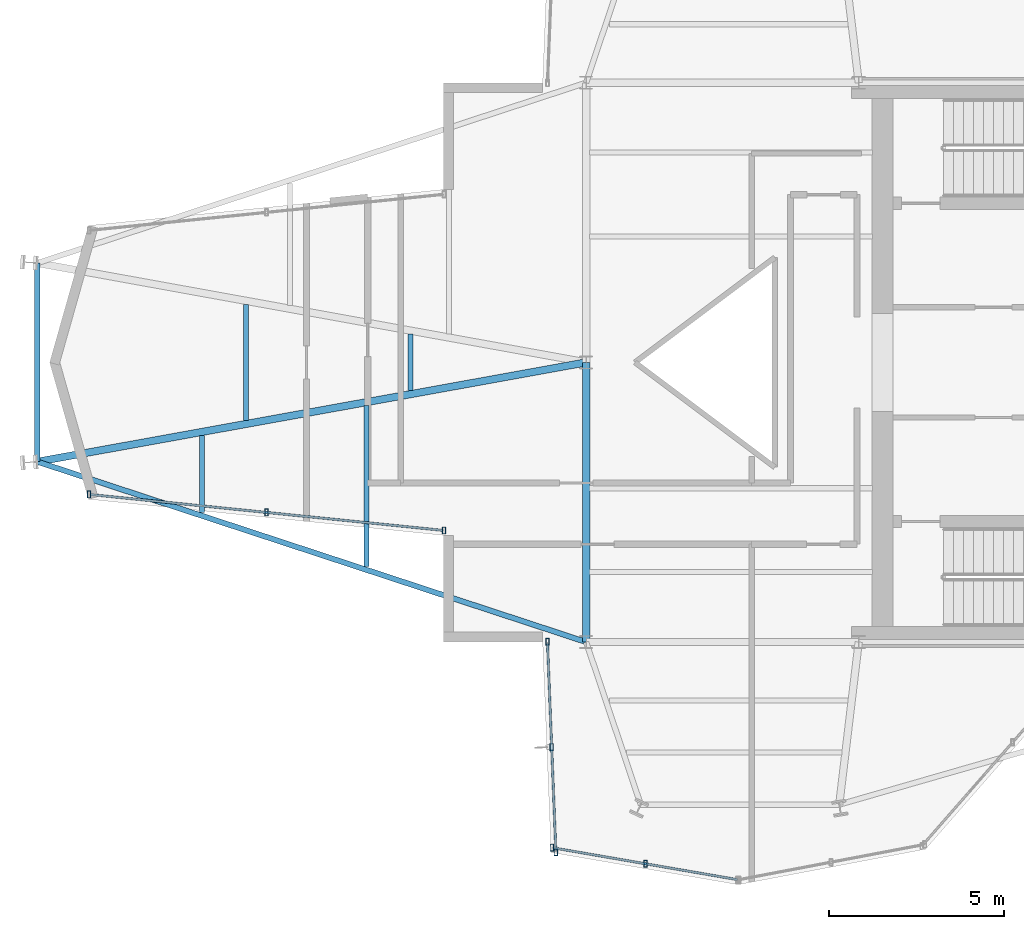
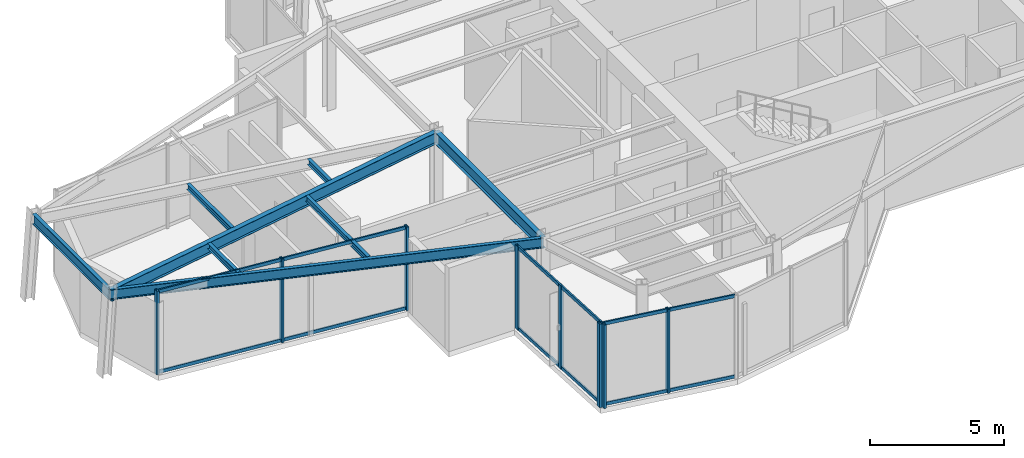
# One storey, part 2 of 13: 14 members, 8 beams, 3 elements without a shape of their own.
"""IFC4 building model written with IfcOpenShell, lengths in metres."""

from ifc_helpers import new_model, si_unit, direction, frame, origin, origin_2d, place, context, subcontext, project, spatial, hollow_rectangle, i_section, extrude, material, layer, layer_set, material_profile, profile_set, type_object, element, aggregate, save


model = new_model("IFC4")

# Units and contexts
model_context = context("Model", 3, precision=1e-05, world=origin(), true_north=direction((0.0, 1.0)))
body_context = subcontext(model_context, "Body", "Model", "MODEL_VIEW")
ifc_project = project(units=[si_unit("LENGTHUNIT", "METRE"), si_unit("AREAUNIT", "SQUARE_METRE"), si_unit("VOLUMEUNIT", "CUBIC_METRE"), si_unit("PLANEANGLEUNIT", "RADIAN"), si_unit("MASSUNIT", "GRAM", prefix="KILO")], contexts=[model_context])

# Site, building, storey
site_placement = place(None, origin())
site = spatial("IfcSite", under=ifc_project, at=site_placement, CompositionType="ELEMENT")
building_placement = place(site_placement, origin())
building = spatial("IfcBuilding", under=site, at=building_placement, Name="Veymaron Broadcast Tower", CompositionType="ELEMENT")
storey_placement = place(building_placement, frame((0.0, 0.0, 274.949951171875)))
storey = spatial("IfcBuildingStorey", under=building, at=storey_placement, Name="L64", CompositionType="ELEMENT", Elevation=274.949951171875)

# Beams
ifc_material_1 = material(Name="Structural steel ASTM A992 Gr 50", Category="steel")
ifc_material_profile_1 = material_profile(ifc_material_1, i_section(OverallWidth=0.208984375, OverallDepth=0.528076171875, WebThickness=0.009521484375, FlangeThickness=0.01318359375, at=origin_2d()), Name="W530X82")
ifc_profile_set_1 = profile_set([ifc_material_profile_1], Name="Structural steel ASTM A992 Gr 50")
beam_type_1 = type_object("IfcBeamType", Name="BM-FG4", PredefinedType="BEAM", material=ifc_profile_set_1)
beam_1_placement = place(storey_placement, frame((31.199951171875, 16.0, 3.546142578125), z_axis=(0.0, 1.0, 0.0), x_axis=(-1.0, 0.0, 0.0)))
element("IfcBeam", 1, at=beam_1_placement, inside=storey, type_object=beam_type_1, Name="L64 primary structural floor girder", PredefinedType="BEAM", context=body_context, shape_type="SweptSolid", body=[
    extrude(i_section(OverallWidth=0.208984375, OverallDepth=0.528076171875, WebThickness=0.009521484375, FlangeThickness=0.01318359375, at=origin_2d()), origin(), (0.0, 0.0, 1.0), 8.0),
])
beam_2_placement = place(storey_placement, frame((15.50048828125, 21.157958984375, 3.546142578125), z_axis=(0.984006484813, 0.178132641159, 0.0), x_axis=(-0.178132641159, 0.984006484813, 0.0)))
element("IfcBeam", 2, at=beam_2_placement, inside=storey, type_object=beam_type_1, Name="L64 primary structural floor girder", PredefinedType="BEAM", context=body_context, shape_type="SweptSolid", body=[
    extrude(i_section(OverallWidth=0.208984375, OverallDepth=0.528076171875, WebThickness=0.009521484375, FlangeThickness=0.01318359375, at=origin_2d()), origin(), (0.0, 0.0, 1.0), 15.95458984375),
])
ifc_material_profile_2 = material_profile(ifc_material_1, i_section(OverallWidth=0.14599609375, OverallDepth=0.258056640625, WebThickness=0.006103515625, FlangeThickness=0.009033203125, at=origin_2d()), Name="W250X33")
ifc_profile_set_2 = profile_set([ifc_material_profile_2], Name="Structural steel ASTM A992 Gr 50")
beam_type_2 = type_object("IfcBeamType", Name="BM-JS4", PredefinedType="JOIST", material=ifc_profile_set_2)
beam_3_placement = place(storey_placement, frame((20.210205078125, 19.710693359375, 3.68115234375), z_axis=(0.0, 1.0, 0.0), x_axis=(-1.0, 0.0, 0.0)))
element("IfcBeam", 3, at=beam_3_placement, inside=storey, type_object=beam_type_2, Name="L64 Arm-A secondary joist 1S", PredefinedType="JOIST", context=body_context, shape_type="SweptSolid", body=[
    extrude(i_section(OverallWidth=0.14599609375, OverallDepth=0.258056640625, WebThickness=0.006103515625, FlangeThickness=0.009033203125, at=origin_2d()), origin(), (0.0, 0.0, 1.0), 2.199951171875),
])
beam_4_placement = place(storey_placement, frame((21.46630859375, 22.337890625, 3.68115234375), z_axis=(0.0, 1.0, 0.0), x_axis=(-1.0, 0.0, 0.0)))
element("IfcBeam", 4, at=beam_4_placement, inside=storey, type_object=beam_type_2, Name="L64 Arm-A secondary joist 1M", PredefinedType="JOIST", context=body_context, shape_type="SweptSolid", body=[
    extrude(i_section(OverallWidth=0.14599609375, OverallDepth=0.258056640625, WebThickness=0.006103515625, FlangeThickness=0.009033203125, at=origin_2d()), origin(), (0.0, 0.0, 1.0), 3.32421875),
])
beam_5_placement = place(storey_placement, frame((24.920166015625, 18.1630859375, 3.68115234375), z_axis=(0.0, 1.0, 0.0), x_axis=(-1.0, 0.0, 0.0)))
element("IfcBeam", 5, at=beam_5_placement, inside=storey, type_object=beam_type_2, Name="L64 Arm-A secondary joist 2S", PredefinedType="JOIST", context=body_context, shape_type="SweptSolid", body=[
    extrude(i_section(OverallWidth=0.14599609375, OverallDepth=0.258056640625, WebThickness=0.006103515625, FlangeThickness=0.009033203125, at=origin_2d()), origin(), (0.0, 0.0, 1.0), 4.60009765625),
])
beam_6_placement = place(storey_placement, frame((26.176025390625, 23.190673828125, 3.68115234375), z_axis=(0.0, 1.0, 0.0), x_axis=(-1.0, 0.0, 0.0)))
element("IfcBeam", 6, at=beam_6_placement, inside=storey, type_object=beam_type_2, Name="L64 Arm-A secondary joist 2M", PredefinedType="JOIST", context=body_context, shape_type="SweptSolid", body=[
    extrude(i_section(OverallWidth=0.14599609375, OverallDepth=0.258056640625, WebThickness=0.006103515625, FlangeThickness=0.009033203125, at=origin_2d()), origin(), (0.0, 0.0, 1.0), 1.61865234375),
])
ifc_material_profile_3 = material_profile(ifc_material_1, i_section(OverallWidth=0.154052734375, OverallDepth=0.458984375, WebThickness=0.009033203125, FlangeThickness=0.015380859375, at=origin_2d()), Name="W460X68")
ifc_profile_set_3 = profile_set([ifc_material_profile_3], Name="Structural steel ASTM A992 Gr 50")
beam_type_3 = type_object("IfcBeamType", Name="BM-SP2", PredefinedType="SPANDREL", material=ifc_profile_set_3)
beam_7_placement = place(storey_placement, frame((15.50048828125, 21.157958984375, 3.58056640625), z_axis=(0.950039572492, -0.31212947746, 0.0), x_axis=(0.31212947746, 0.950039572492, 0.0)))
element("IfcBeam", 7, at=beam_7_placement, inside=storey, type_object=beam_type_3, Name="L64 primary structural floor girder", PredefinedType="SPANDREL", context=body_context, shape_type="SweptSolid", body=[
    extrude(i_section(OverallWidth=0.154052734375, OverallDepth=0.458984375, WebThickness=0.009033203125, FlangeThickness=0.015380859375, at=origin_2d()), origin(), (0.0, 0.0, 1.0), 16.525146484375),
])
beam_8_placement = place(storey_placement, frame((15.50048828125, 21.157958984375, 3.58056640625), z_axis=(0.0, 1.0, 0.0), x_axis=(-1.0, 0.0, 0.0)))
element("IfcBeam", 8, at=beam_8_placement, inside=storey, type_object=beam_type_3, Name="L64 primary structural floor girder", PredefinedType="SPANDREL", context=body_context, shape_type="SweptSolid", body=[
    extrude(i_section(OverallWidth=0.154052734375, OverallDepth=0.458984375, WebThickness=0.009033203125, FlangeThickness=0.015380859375, at=origin_2d()), origin(), (0.0, 0.0, 1.0), 5.68408203125),
])

# Curtain wall, members
ifc_material_2 = material(Name="Anodised aluminium AA 6063-T6 and laminated low-E dark glass", Category="aluminium")
ifc_layer = layer(ifc_material_2, 0.179931640625)
ifc_layer_set = layer_set([ifc_layer], Name="Anodised aluminium AA 6063-T6 and laminated low-E dark glass")
curtain_wall_type = type_object("IfcCurtainWallType", Name="CW-SYS-06", PredefinedType="NOTDEFINED", material=ifc_layer_set)
curtain_wall_1_placement = place(storey_placement, origin())
curtain_wall_1 = element("IfcCurtainWall", 9, at=curtain_wall_1_placement, inside=storey, type_object=curtain_wall_type, Name="L64 dark-glass curtain wall CW-L64-E14-1", PredefinedType="NOTDEFINED")
ifc_material_3 = material(Name="Anodised aluminium AA 6063-T6", Category="aluminium")
ifc_material_profile_4 = material_profile(ifc_material_3, hollow_rectangle(XDim=0.10009765625, YDim=0.199951171875, WallThickness=0.010009765625, at=origin_2d()), Name="RHS200X100X10")
ifc_profile_set_4 = profile_set([ifc_material_profile_4], Name="Anodised aluminium AA 6063-T6")
member_type_1 = type_object("IfcMemberType", Name="CW-MUL-01", PredefinedType="MULLION", material=ifc_profile_set_4)
member_1_placement = place(storey_placement, frame((16.97412109375, 20.2236328125, 0.0), z_axis=(0.0, 0.0, 1.0), x_axis=(1.0, 0.0, 0.0)))
member_1 = element("IfcMember", 10, at=member_1_placement, type_object=member_type_1, Name="CW-L64-E14-1 mullion 0", PredefinedType="MULLION", context=body_context, shape_type="SweptSolid", body=[
    extrude(hollow_rectangle(XDim=0.10009765625, YDim=0.199951171875, WallThickness=0.010009765625, at=origin_2d()), origin(), (0.0, 0.0, 1.0), 3.81005859375),
])
member_2_placement = place(storey_placement, frame((22.054931640625, 19.70703125, 0.0), z_axis=(0.0, 0.0, 1.0), x_axis=(1.0, 0.0, 0.0)))
member_2 = element("IfcMember", 11, at=member_2_placement, type_object=member_type_1, Name="CW-L64-E14-1 mullion 1", PredefinedType="MULLION", context=body_context, shape_type="SweptSolid", body=[
    extrude(hollow_rectangle(XDim=0.10009765625, YDim=0.199951171875, WallThickness=0.010009765625, at=origin_2d()), origin(), (0.0, 0.0, 1.0), 3.81005859375),
])
member_3_placement = place(storey_placement, frame((27.1357421875, 19.1904296875, 0.0), z_axis=(0.0, 0.0, 1.0), x_axis=(1.0, 0.0, 0.0)))
member_3 = element("IfcMember", 12, at=member_3_placement, type_object=member_type_1, Name="CW-L64-E14-1 mullion 2", PredefinedType="MULLION", context=body_context, shape_type="SweptSolid", body=[
    extrude(hollow_rectangle(XDim=0.10009765625, YDim=0.199951171875, WallThickness=0.010009765625, at=origin_2d()), origin(), (0.0, 0.0, 1.0), 3.81005859375),
])

curtain_wall_2_placement = place(storey_placement, origin())
curtain_wall_2 = element("IfcCurtainWall", 13, at=curtain_wall_2_placement, inside=storey, type_object=curtain_wall_type, Name="L64 dark-glass curtain wall CW-L64-E17-1", PredefinedType="NOTDEFINED")
member_4_placement = place(storey_placement, frame((30.093505859375, 16.005615234375, 0.0), z_axis=(0.0, 0.0, 1.0), x_axis=(1.0, 0.0, 0.0)))
member_4 = element("IfcMember", 14, at=member_4_placement, type_object=member_type_1, Name="CW-L64-E17-1 mullion 0", PredefinedType="MULLION", context=body_context, shape_type="SweptSolid", body=[
    extrude(hollow_rectangle(XDim=0.10009765625, YDim=0.199951171875, WallThickness=0.010009765625, at=origin_2d()), origin(), (0.0, 0.0, 1.0), 3.81005859375),
])
member_5_placement = place(storey_placement, frame((30.214111328125, 12.9951171875, 0.0), z_axis=(0.0, 0.0, 1.0), x_axis=(1.0, 0.0, 0.0)))
member_5 = element("IfcMember", 15, at=member_5_placement, type_object=member_type_1, Name="CW-L64-E17-1 mullion 1", PredefinedType="MULLION", context=body_context, shape_type="SweptSolid", body=[
    extrude(hollow_rectangle(XDim=0.10009765625, YDim=0.199951171875, WallThickness=0.010009765625, at=origin_2d()), origin(), (0.0, 0.0, 1.0), 3.81005859375),
])
member_6_placement = place(storey_placement, frame((30.3349609375, 9.984375, 0.0), z_axis=(0.0, 0.0, 1.0), x_axis=(1.0, 0.0, 0.0)))
member_6 = element("IfcMember", 16, at=member_6_placement, type_object=member_type_1, Name="CW-L64-E17-1 mullion 2", PredefinedType="MULLION", context=body_context, shape_type="SweptSolid", body=[
    extrude(hollow_rectangle(XDim=0.10009765625, YDim=0.199951171875, WallThickness=0.010009765625, at=origin_2d()), origin(), (0.0, 0.0, 1.0), 3.81005859375),
])

curtain_wall_3_placement = place(storey_placement, origin())
curtain_wall_3 = element("IfcCurtainWall", 17, at=curtain_wall_3_placement, inside=storey, type_object=curtain_wall_type, Name="L64 dark-glass curtain wall CW-L64-E18-1", PredefinedType="NOTDEFINED")
member_7_placement = place(storey_placement, frame((30.21875, 10.11669921875, 0.0), z_axis=(0.0, 0.0, 1.0), x_axis=(1.0, 0.0, 0.0)))
member_7 = element("IfcMember", 18, at=member_7_placement, type_object=member_type_1, Name="CW-L64-E18-1 mullion 0", PredefinedType="MULLION", context=body_context, shape_type="SweptSolid", body=[
    extrude(hollow_rectangle(XDim=0.10009765625, YDim=0.199951171875, WallThickness=0.010009765625, at=origin_2d()), origin(), (0.0, 0.0, 1.0), 3.81005859375),
])
member_8_placement = place(storey_placement, frame((32.89794921875, 9.65478515625, 0.0), z_axis=(0.0, 0.0, 1.0), x_axis=(1.0, 0.0, 0.0)))
member_8 = element("IfcMember", 19, at=member_8_placement, type_object=member_type_1, Name="CW-L64-E18-1 mullion 1", PredefinedType="MULLION", context=body_context, shape_type="SweptSolid", body=[
    extrude(hollow_rectangle(XDim=0.10009765625, YDim=0.199951171875, WallThickness=0.010009765625, at=origin_2d()), origin(), (0.0, 0.0, 1.0), 3.81005859375),
])

# Member
ifc_material_profile_5 = material_profile(ifc_material_3, hollow_rectangle(XDim=0.06494140625, YDim=0.14990234375, WallThickness=0.00390625, at=origin_2d()), Name="AL150X65X4")
ifc_profile_set_5 = profile_set([ifc_material_profile_5], Name="Anodised aluminium AA 6063-T6")
member_type_2 = type_object("IfcMemberType", Name="CW-TRN-01", PredefinedType="USERDEFINED", material=ifc_profile_set_5)
member_9_placement = place(storey_placement, frame((17.02392578125, 20.218505859375, 0.070068359375), z_axis=(0.994872131197, -0.101140706775, 0.0), x_axis=(0.101140706775, 0.994872131197, 0.0)))
member_9 = element("IfcMember", 20, at=member_9_placement, type_object=member_type_2, Name="CW-L64-E14-1 transom B", ObjectType="TRANSOM", PredefinedType="USERDEFINED", context=body_context, shape_type="SweptSolid", body=[
    extrude(hollow_rectangle(XDim=0.06494140625, YDim=0.14990234375, WallThickness=0.00390625, at=origin_2d()), origin(), (0.0, 0.0, 1.0), 10.114013671875),
])

member_10_placement = place(storey_placement, frame((17.02392578125, 20.218505859375, 3.739990234375), z_axis=(0.994872131197, -0.101140706775, 0.0), x_axis=(0.101140706775, 0.994872131197, 0.0)))
member_10 = element("IfcMember", 21, at=member_10_placement, type_object=member_type_2, Name="CW-L64-E14-1 transom T", ObjectType="TRANSOM", PredefinedType="USERDEFINED", context=body_context, shape_type="SweptSolid", body=[
    extrude(hollow_rectangle(XDim=0.06494140625, YDim=0.14990234375, WallThickness=0.00390625, at=origin_2d()), origin(), (0.0, 0.0, 1.0), 10.114013671875),
])

aggregate(curtain_wall_1, [member_1, member_2, member_3, member_9, member_10])

member_11_placement = place(storey_placement, frame((30.095703125, 15.95556640625, 0.070068359375), z_axis=(0.040045368506, -0.999197862518, 0.0), x_axis=(0.999197862518, 0.040045368506, 0.0)))
member_11 = element("IfcMember", 22, at=member_11_placement, type_object=member_type_2, Name="CW-L64-E17-1 transom B", ObjectType="TRANSOM", PredefinedType="USERDEFINED", context=body_context, shape_type="SweptSolid", body=[
    extrude(hollow_rectangle(XDim=0.06494140625, YDim=0.14990234375, WallThickness=0.00390625, at=origin_2d()), origin(), (0.0, 0.0, 1.0), 5.92578125),
])

member_12_placement = place(storey_placement, frame((30.095703125, 15.95556640625, 3.739990234375), z_axis=(0.040045368506, -0.999197862518, 0.0), x_axis=(0.999197862518, 0.040045368506, 0.0)))
member_12 = element("IfcMember", 23, at=member_12_placement, type_object=member_type_2, Name="CW-L64-E17-1 transom T", ObjectType="TRANSOM", PredefinedType="USERDEFINED", context=body_context, shape_type="SweptSolid", body=[
    extrude(hollow_rectangle(XDim=0.06494140625, YDim=0.14990234375, WallThickness=0.00390625, at=origin_2d()), origin(), (0.0, 0.0, 1.0), 5.92578125),
])

aggregate(curtain_wall_2, [member_4, member_5, member_6, member_11, member_12])

member_13_placement = place(storey_placement, frame((30.26806640625, 10.1083984375, 0.070068359375), z_axis=(0.985454833095, -0.169937553031, 0.0), x_axis=(0.169937553031, 0.985454833095, 0.0)))
member_13 = element("IfcMember", 24, at=member_13_placement, type_object=member_type_2, Name="CW-L64-E18-1 transom B", ObjectType="TRANSOM", PredefinedType="USERDEFINED", context=body_context, shape_type="SweptSolid", body=[
    extrude(hollow_rectangle(XDim=0.06494140625, YDim=0.14990234375, WallThickness=0.00390625, at=origin_2d()), origin(), (0.0, 0.0, 1.0), 5.337158203125),
])

member_14_placement = place(storey_placement, frame((30.26806640625, 10.1083984375, 3.739990234375), z_axis=(0.985454833095, -0.169937553031, 0.0), x_axis=(0.169937553031, 0.985454833095, 0.0)))
member_14 = element("IfcMember", 25, at=member_14_placement, type_object=member_type_2, Name="CW-L64-E18-1 transom T", ObjectType="TRANSOM", PredefinedType="USERDEFINED", context=body_context, shape_type="SweptSolid", body=[
    extrude(hollow_rectangle(XDim=0.06494140625, YDim=0.14990234375, WallThickness=0.00390625, at=origin_2d()), origin(), (0.0, 0.0, 1.0), 5.337158203125),
])

aggregate(curtain_wall_3, [member_7, member_8, member_13, member_14])

save(model, "model.ifc")
